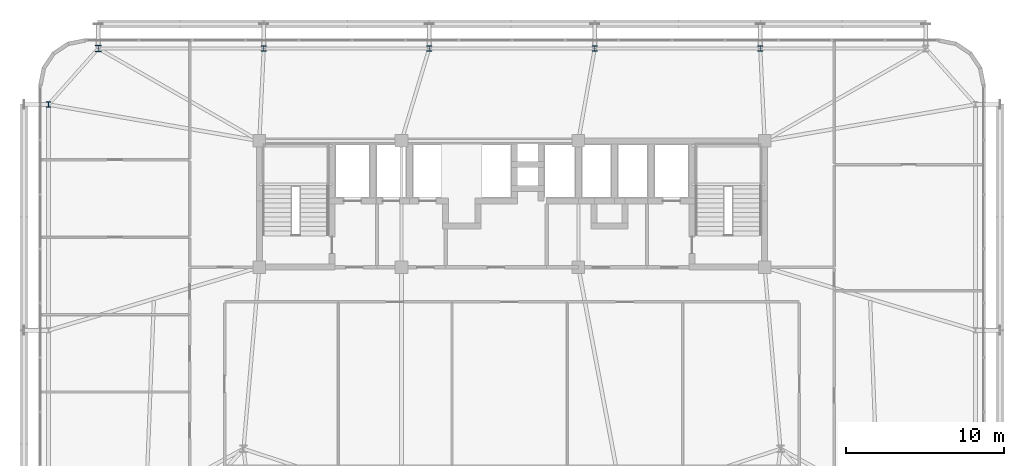
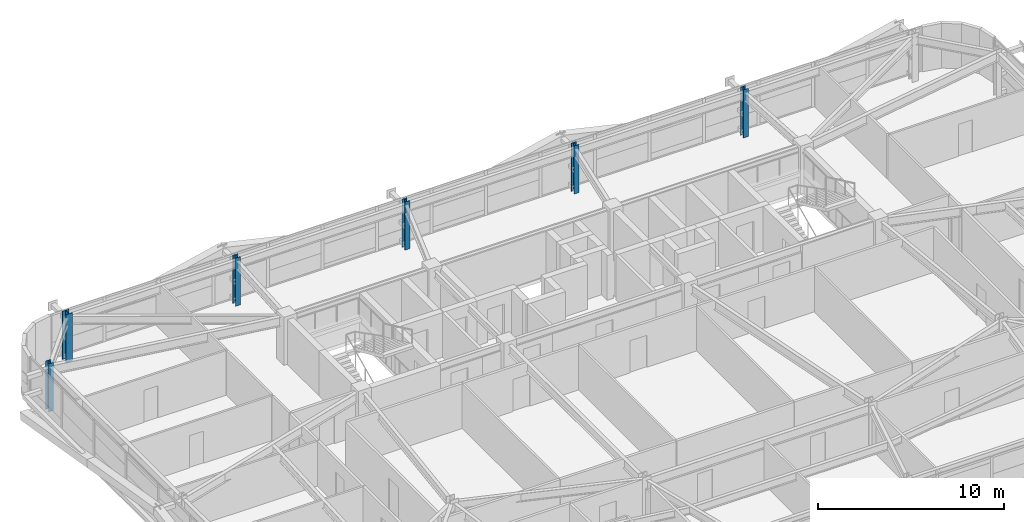
# One storey, part 3 of 58: 6 columns.
"""IFC4 building model written with IfcOpenShell, lengths in metres."""

from ifc_helpers import new_model, si_unit, direction, frame, origin, origin_2d, place, context, subcontext, project, spatial, i_section, extrude, source, transform, mapped, material, material_profile, profile_set, type_object, element, save


model = new_model("IFC4")

# Units and contexts
model_context = context("Model", 3, precision=1e-05, world=origin(), true_north=direction((0.0, 1.0)))
body_context = subcontext(model_context, "Body", "Model", "MODEL_VIEW")
ifc_project = project(units=[si_unit("LENGTHUNIT", "METRE"), si_unit("AREAUNIT", "SQUARE_METRE"), si_unit("VOLUMEUNIT", "CUBIC_METRE"), si_unit("PLANEANGLEUNIT", "RADIAN"), si_unit("MASSUNIT", "GRAM", prefix="KILO")], contexts=[model_context])

# Site, building, storey
site_placement = place(None, origin())
site = spatial("IfcSite", under=ifc_project, at=site_placement, CompositionType="ELEMENT")
building_placement = place(site_placement, origin())
building = spatial("IfcBuilding", under=site, at=building_placement, Name="Taldren Reach Tower", CompositionType="ELEMENT")
storey_placement = place(building_placement, frame((0.0, 0.0, 35.699951171875)))
storey = spatial("IfcBuildingStorey", under=building, at=storey_placement, Name="L10", CompositionType="ELEMENT", Elevation=35.699951171875)

# Columns
ifc_material = material(Name="Steel Gr 350 (350PLUS)", Category="steel")
ifc_material_profile_1 = material_profile(ifc_material, i_section(OverallWidth=0.39990234375, OverallDepth=0.39599609375, WebThickness=0.02197265625, FlangeThickness=0.033935546875, at=origin_2d()), Name="400WC270")
ifc_profile_set_1 = profile_set([ifc_material_profile_1], Name="Steel Gr 350 (350PLUS)")
column_type_1 = type_object("IfcColumnType", Name="COL-WC400", PredefinedType="COLUMN", material=ifc_profile_set_1)
shared_shape_1 = source(origin(), body_context, "Body", "SweptSolid", [
    extrude(i_section(OverallWidth=0.39990234375, OverallDepth=0.39599609375, WebThickness=0.02197265625, FlangeThickness=0.033935546875, at=origin_2d()), origin(), (0.0, 0.0, 1.0), 3.150146484375),
])
column_placement = place(storey_placement, frame((8.800048828125, 37.85009765625, 0.0), z_axis=(0.0, 0.0, 1.0), x_axis=(1.0, 0.0, 0.0)))
element("IfcColumn", 1, at=column_placement, inside=storey, type_object=column_type_1, Name="Block B1 perimeter column N1 L10", PredefinedType="COLUMN", context=body_context, shape_type="MappedRepresentation", body=[
    mapped(shared_shape_1, transform((0.0, 0.0, 0.0), scale=1.0)),
])
ifc_material_profile_2 = material_profile(ifc_material, i_section(OverallWidth=0.31103515625, OverallDepth=0.326904296875, WebThickness=0.015625, FlangeThickness=0.02490234375, at=origin_2d()), Name="310UC158")
ifc_profile_set_2 = profile_set([ifc_material_profile_2], Name="Steel Gr 350 (350PLUS)")
column_type_2 = type_object("IfcColumnType", Name="COL-UC310A", PredefinedType="COLUMN", material=ifc_profile_set_2)
shared_shape_2 = source(origin(), body_context, "Body", "SweptSolid", [
    extrude(i_section(OverallWidth=0.31103515625, OverallDepth=0.326904296875, WebThickness=0.015625, FlangeThickness=0.02490234375, at=origin_2d()), origin(), (0.0, 0.0, 1.0), 3.150146484375),
])
for number, where, z_axis, x_axis, name in (
    (2, (19.280029296875, 37.85009765625, 0.0), (0.0, 0.0, 1.0), (1.0, 0.0, 0.0), "Block B1 perimeter column N2 L10"),
    (3, (29.760009765625, 37.85009765625, 0.0), (0.0, 0.0, 1.0), (1.0, 0.0, 0.0), "Block B1 perimeter column N3 L10"),
    (4, (40.239990234375, 37.85009765625, 0.0), (0.0, 0.0, 1.0), (1.0, 0.0, 0.0), "Block B1 perimeter column N4 L10"),
    (5, (50.719970703125, 37.85009765625, 0.0), (0.0, 0.0, 1.0), (1.0, 0.0, 0.0), "Block B1 perimeter column N5 L10"),
    (6, (5.64990234375, 34.300048828125, 0.0), (0.0, 0.0, 1.0), (1.0, 0.0, 0.0), "Block B1 perimeter column W3 L10"),
):
    element("IfcColumn", number, at=place(storey_placement, frame(where, z_axis=z_axis, x_axis=x_axis)), inside=storey, type_object=column_type_2, Name=name, PredefinedType="COLUMN", context=body_context, shape_type="MappedRepresentation", body=[
        mapped(shared_shape_2, transform((0.0, 0.0, 0.0), scale=1.0)),
    ])

save(model, "model.ifc")
